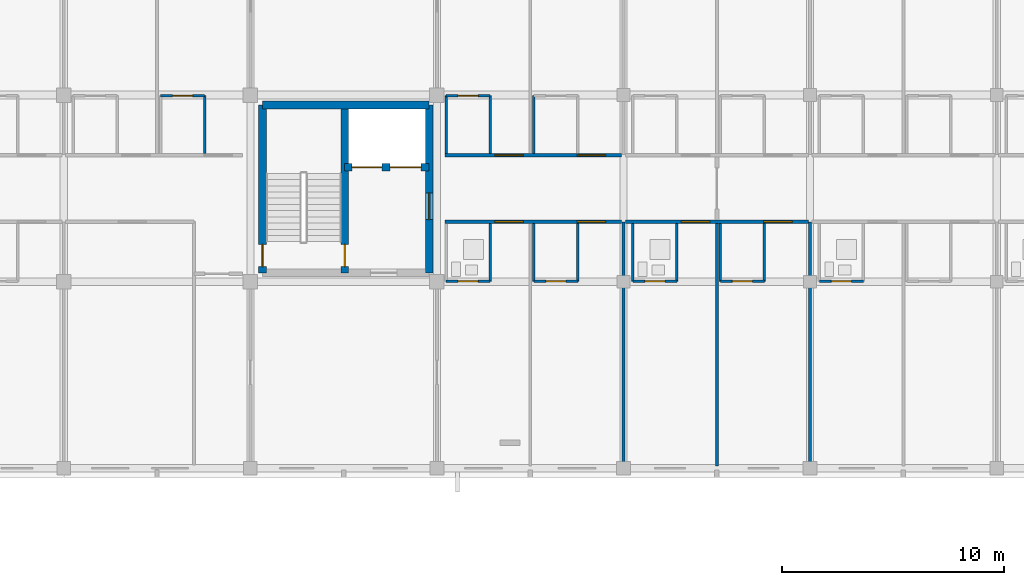
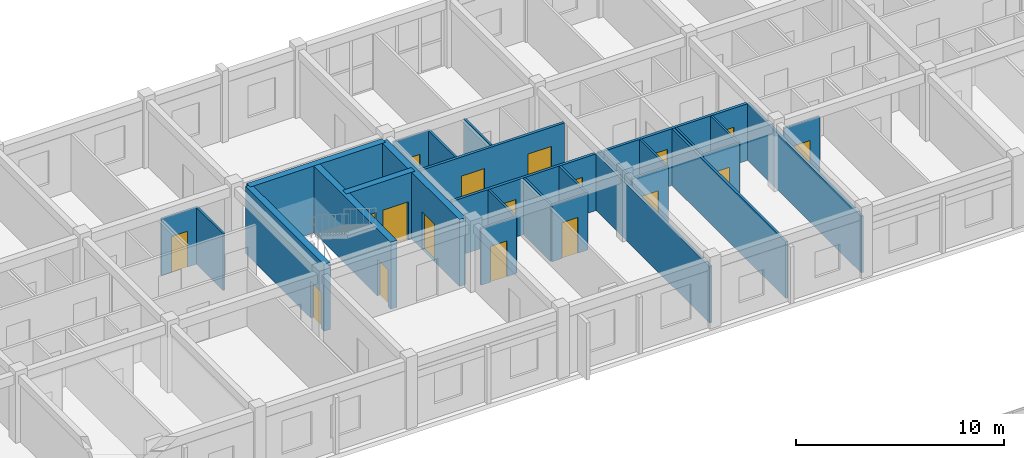
# One storey, part 70 of 81: 29 walls, 18 doors, 18 openings.
"""IFC4 building model written with IfcOpenShell, lengths in metres."""

from ifc_helpers import new_model, si_unit, direction, frame, frame_2d, origin, place, context, subcontext, project, spatial, rectangle, extrude, material, layer, layer_set, type_object, element, fill, save


model = new_model("IFC4")

# Units and contexts
model_context = context("Model", 3, precision=1e-05, world=origin(), true_north=direction((0.0, 1.0)))
body_context = subcontext(model_context, "Body", "Model", "MODEL_VIEW")
ifc_project = project(units=[si_unit("LENGTHUNIT", "METRE"), si_unit("AREAUNIT", "SQUARE_METRE"), si_unit("VOLUMEUNIT", "CUBIC_METRE"), si_unit("PLANEANGLEUNIT", "RADIAN"), si_unit("MASSUNIT", "GRAM", prefix="KILO")], contexts=[model_context])

# Site, building, storey
site_placement = place(None, origin())
site = spatial("IfcSite", under=ifc_project, at=site_placement, CompositionType="ELEMENT")
building_placement = place(site_placement, origin())
building = spatial("IfcBuilding", under=site, at=building_placement, Name="Trelvath General Hospital", CompositionType="ELEMENT")
storey_placement = place(building_placement, frame((0.0, 0.0, 24.60009765625)))
storey = spatial("IfcBuildingStorey", under=building, at=storey_placement, Name="L06", CompositionType="ELEMENT", Elevation=24.60009765625)

# Wall, openings, doors
ifc_material_1 = material(Name="Gypsum acoustic steel-stud partition", Category="steel")
ifc_layer_1 = layer(ifc_material_1, 0.14990234375)
ifc_layer_set_1 = layer_set([ifc_layer_1], Name="Gypsum acoustic steel-stud partition")
wall_type_1 = type_object("IfcWallType", Name="ClinicalPartition 150", PredefinedType="PARTITIONING", material=ifc_layer_set_1)
wall_1_placement = place(storey_placement, frame((92.760009765625, 103.5, 0.0), z_axis=(0.0, 0.0, 1.0), x_axis=(1.0, 0.0, 0.0)))
wall_1 = element("IfcWall", 1, at=wall_1_placement, inside=storey, type_object=wall_type_1, Name="Corridor Partition L06-2242", PredefinedType="PARTITIONING", context=body_context, shape_type="SweptSolid", body=[
    extrude(rectangle(XDim=7.9599609375, YDim=0.14990234375, at=frame_2d((3.97998046875, 0.0))), origin(), (0.0, 0.0, 1.0), 3.31982421875),
])
opening_1_placement = place(wall_1_placement, frame((2.25, 0.0, 0.0)))
opening_1 = element("IfcOpeningElement", 2, at=opening_1_placement, cuts=wall_1, Name="Opening D-6-1416", PredefinedType="OPENING", context=body_context, shape_type="SweptSolid", body=[
    extrude(rectangle(XDim=1.280029296875, YDim=2.199951171875, at=frame_2d((0.64013671875, 1.10009765625))), frame((0.0, 0.0849609375, 0.0), z_axis=(0.0, -1.0, 0.0), x_axis=(1.0, 0.0, 0.0)), (0.0, 0.0, 1.0), 0.169921875),
])
opening_2_placement = place(wall_1_placement, frame((5.949951171875, 0.0, 0.0)))
opening_2 = element("IfcOpeningElement", 3, at=opening_2_placement, cuts=wall_1, Name="Opening D-6-1417", PredefinedType="OPENING", context=body_context, shape_type="SweptSolid", body=[
    extrude(rectangle(XDim=1.280029296875, YDim=2.199951171875, at=frame_2d((0.64013671875, 1.10009765625))), frame((0.0, 0.0849609375, 0.0), z_axis=(0.0, -1.0, 0.0), x_axis=(1.0, 0.0, 0.0)), (0.0, 0.0, 1.0), 0.169921875),
])
ifc_material_2 = material(Name="Pediatric ward timber door", Category="wood")
door_type_1 = type_object("IfcDoorType", Name="Door PatientPeds 1280x2200", OperationType="NOTDEFINED", PredefinedType="DOOR", material=ifc_material_2)
door_1_placement = place(opening_1_placement, origin())
door_1 = element("IfcDoor", 4, at=door_1_placement, inside=storey, type_object=door_type_1, Name="Patient Room Door L06-1416", OperationType="SINGLE_SWING_RIGHT", OverallHeight=2.199951171875, OverallWidth=1.280029296875, PredefinedType="DOOR", context=body_context, shape_type="SweptSolid", body=[
    extrude(rectangle(XDim=1.280029296875, YDim=2.199951171875, at=frame_2d((0.64013671875, 1.10009765625))), frame((0.0, 0.02490234375, 0.0), z_axis=(0.0, -1.0, 0.0), x_axis=(1.0, 0.0, 0.0)), (0.0, 0.0, 1.0), 0.050048828125),
])
fill(opening_1, door_1)
door_2_placement = place(opening_2_placement, origin())
door_2 = element("IfcDoor", 5, at=door_2_placement, inside=storey, type_object=door_type_1, Name="Patient Room Door L06-1417", OperationType="SINGLE_SWING_LEFT", OverallHeight=2.199951171875, OverallWidth=1.280029296875, PredefinedType="DOOR", context=body_context, shape_type="SweptSolid", body=[
    extrude(rectangle(XDim=1.280029296875, YDim=2.199951171875, at=frame_2d((0.64013671875, 1.10009765625))), frame((0.0, 0.02490234375, 0.0), z_axis=(0.0, -1.0, 0.0), x_axis=(1.0, 0.0, 0.0)), (0.0, 0.0, 1.0), 0.050048828125),
])
fill(opening_2, door_2)

wall_2_placement = place(storey_placement, frame((100.719970703125, 106.5, 0.0), z_axis=(0.0, 0.0, 1.0), x_axis=(-1.0, 0.0, 0.0)))
wall_2 = element("IfcWall", 6, at=wall_2_placement, inside=storey, type_object=wall_type_1, Name="Corridor Partition N L06-2251", PredefinedType="PARTITIONING", context=body_context, shape_type="SweptSolid", body=[
    extrude(rectangle(XDim=7.9599609375, YDim=0.14990234375, at=frame_2d((3.97998046875, 0.0))), origin(), (0.0, 0.0, 1.0), 3.31982421875),
])
opening_3_placement = place(wall_2_placement, frame((0.72998046875, 0.0, 0.0)))
opening_3 = element("IfcOpeningElement", 7, at=opening_3_placement, cuts=wall_2, Name="Opening D-6-1420", PredefinedType="OPENING", context=body_context, shape_type="SweptSolid", body=[
    extrude(rectangle(XDim=1.280029296875, YDim=2.199951171875, at=frame_2d((0.64013671875, 1.10009765625))), frame((0.0, 0.0849609375, 0.0), z_axis=(0.0, -1.0, 0.0), x_axis=(1.0, 0.0, 0.0)), (0.0, 0.0, 1.0), 0.169921875),
])
opening_4_placement = place(wall_2_placement, frame((4.429931640625, 0.0, 0.0)))
opening_4 = element("IfcOpeningElement", 8, at=opening_4_placement, cuts=wall_2, Name="Opening D-6-1421", PredefinedType="OPENING", context=body_context, shape_type="SweptSolid", body=[
    extrude(rectangle(XDim=1.280029296875, YDim=2.199951171875, at=frame_2d((0.64013671875, 1.10009765625))), frame((0.0, 0.0849609375, 0.0), z_axis=(0.0, -1.0, 0.0), x_axis=(1.0, 0.0, 0.0)), (0.0, 0.0, 1.0), 0.169921875),
])
door_3_placement = place(opening_3_placement, origin())
door_3 = element("IfcDoor", 9, at=door_3_placement, inside=storey, type_object=door_type_1, Name="Patient Room Door N L06-1420", OperationType="SINGLE_SWING_RIGHT", OverallHeight=2.199951171875, OverallWidth=1.280029296875, PredefinedType="DOOR", context=body_context, shape_type="SweptSolid", body=[
    extrude(rectangle(XDim=1.280029296875, YDim=2.199951171875, at=frame_2d((0.64013671875, 1.10009765625))), frame((0.0, 0.02490234375, 0.0), z_axis=(0.0, -1.0, 0.0), x_axis=(1.0, 0.0, 0.0)), (0.0, 0.0, 1.0), 0.050048828125),
])
fill(opening_3, door_3)
door_4_placement = place(opening_4_placement, origin())
door_4 = element("IfcDoor", 10, at=door_4_placement, inside=storey, type_object=door_type_1, Name="Patient Room Door N L06-1421", OperationType="SINGLE_SWING_RIGHT", OverallHeight=2.199951171875, OverallWidth=1.280029296875, PredefinedType="DOOR", context=body_context, shape_type="SweptSolid", body=[
    extrude(rectangle(XDim=1.280029296875, YDim=2.199951171875, at=frame_2d((0.64013671875, 1.10009765625))), frame((0.0, 0.02490234375, 0.0), z_axis=(0.0, -1.0, 0.0), x_axis=(1.0, 0.0, 0.0)), (0.0, 0.0, 1.0), 0.050048828125),
])
fill(opening_4, door_4)

wall_3_placement = place(storey_placement, frame((100.8798828125, 103.5, 0.0), z_axis=(0.0, 0.0, 1.0), x_axis=(1.0, 0.0, 0.0)))
wall_3 = element("IfcWall", 11, at=wall_3_placement, inside=storey, type_object=wall_type_1, Name="Corridor Partition L06-2261", PredefinedType="PARTITIONING", context=body_context, shape_type="SweptSolid", body=[
    extrude(rectangle(XDim=8.240234375, YDim=0.14990234375, at=frame_2d((4.1201171875, 0.0))), origin(), (0.0, 0.0, 1.0), 3.31982421875),
])
opening_5_placement = place(wall_3_placement, frame((2.530029296875, 0.0, 0.0)))
opening_5 = element("IfcOpeningElement", 12, at=opening_5_placement, cuts=wall_3, Name="Opening D-6-1424", PredefinedType="OPENING", context=body_context, shape_type="SweptSolid", body=[
    extrude(rectangle(XDim=1.280029296875, YDim=2.199951171875, at=frame_2d((0.64013671875, 1.10009765625))), frame((0.0, 0.0849609375, 0.0), z_axis=(0.0, -1.0, 0.0), x_axis=(1.0, 0.0, 0.0)), (0.0, 0.0, 1.0), 0.169921875),
])
opening_6_placement = place(wall_3_placement, frame((6.22998046875, 0.0, 0.0)))
opening_6 = element("IfcOpeningElement", 13, at=opening_6_placement, cuts=wall_3, Name="Opening D-6-1425", PredefinedType="OPENING", context=body_context, shape_type="SweptSolid", body=[
    extrude(rectangle(XDim=1.280029296875, YDim=2.199951171875, at=frame_2d((0.64013671875, 1.10009765625))), frame((0.0, 0.0849609375, 0.0), z_axis=(0.0, -1.0, 0.0), x_axis=(1.0, 0.0, 0.0)), (0.0, 0.0, 1.0), 0.169921875),
])
door_5_placement = place(opening_5_placement, origin())
door_5 = element("IfcDoor", 14, at=door_5_placement, inside=storey, type_object=door_type_1, Name="Patient Room Door L06-1424", OperationType="SINGLE_SWING_LEFT", OverallHeight=2.199951171875, OverallWidth=1.280029296875, PredefinedType="DOOR", context=body_context, shape_type="SweptSolid", body=[
    extrude(rectangle(XDim=1.280029296875, YDim=2.199951171875, at=frame_2d((0.64013671875, 1.10009765625))), frame((0.0, 0.02490234375, 0.0), z_axis=(0.0, -1.0, 0.0), x_axis=(1.0, 0.0, 0.0)), (0.0, 0.0, 1.0), 0.050048828125),
])
fill(opening_5, door_5)
door_6_placement = place(opening_6_placement, origin())
door_6 = element("IfcDoor", 15, at=door_6_placement, inside=storey, type_object=door_type_1, Name="Patient Room Door L06-1425", OperationType="SINGLE_SWING_RIGHT", OverallHeight=2.199951171875, OverallWidth=1.280029296875, PredefinedType="DOOR", context=body_context, shape_type="SweptSolid", body=[
    extrude(rectangle(XDim=1.280029296875, YDim=2.199951171875, at=frame_2d((0.64013671875, 1.10009765625))), frame((0.0, 0.02490234375, 0.0), z_axis=(0.0, -1.0, 0.0), x_axis=(1.0, 0.0, 0.0)), (0.0, 0.0, 1.0), 0.050048828125),
])
fill(opening_6, door_6)

# Wall
ifc_material_3 = material(Name="Concrete C40/50", Category="concrete")
ifc_layer_2 = layer(ifc_material_3, 0.35009765625)
ifc_layer_set_2 = layer_set([ifc_layer_2], Name="Concrete C40/50")
wall_type_2 = type_object("IfcWallType", Name="CoreShearWall 350", PredefinedType="SHEAR", material=ifc_layer_set_2)
wall_4_placement = place(storey_placement, frame((84.550048828125, 108.75, 0.0), z_axis=(0.0, 0.0, 1.0), x_axis=(1.0, 0.0, 0.0)))
element("IfcWall", 16, at=wall_4_placement, inside=storey, type_object=wall_type_2, Name="Core Shear Wall C2 N L06", PredefinedType="SHEAR", context=body_context, shape_type="SweptSolid", body=[
    extrude(rectangle(XDim=7.5, YDim=0.35009765625, at=frame_2d((3.75, 0.0))), origin(), (0.0, 0.0, 1.0), 3.919921875),
])

# Wall, opening, door
wall_5_placement = place(storey_placement, frame((84.550048828125, 101.199951171875, 0.0), z_axis=(0.0, 0.0, 1.0), x_axis=(0.0, 1.0, 0.0)))
wall_5 = element("IfcWall", 17, at=wall_5_placement, inside=storey, type_object=wall_type_2, Name="Core Shear Wall C2 W L06", PredefinedType="SHEAR", context=body_context, shape_type="SweptSolid", body=[
    extrude(rectangle(XDim=7.550048828125, YDim=0.35009765625, at=frame_2d((3.77490234375, 0.0))), origin(), (0.0, 0.0, 1.0), 3.919921875),
])
opening_7_placement = place(wall_5_placement, frame((0.280029296875, 0.0, 0.0)))
opening_7 = element("IfcOpeningElement", 18, at=opening_7_placement, cuts=wall_5, Name="Opening FD-SW26", PredefinedType="OPENING", context=body_context, shape_type="SweptSolid", body=[
    extrude(rectangle(XDim=1.0, YDim=2.14990234375, at=frame_2d((0.5, 1.074951171875))), frame((0.0, 0.18505859375, 0.0), z_axis=(0.0, -1.0, 0.0), x_axis=(1.0, 0.0, 0.0)), (0.0, 0.0, 1.0), 0.3701171875),
])
ifc_material_4 = material(Name="Fire-rated steel door", Category="steel")
door_type_2 = type_object("IfcDoorType", Name="Door FireStair 1100x2150", OperationType="NOTDEFINED", PredefinedType="DOOR", material=ifc_material_4)
door_7_placement = place(opening_7_placement, origin())
door_7 = element("IfcDoor", 19, at=door_7_placement, inside=storey, type_object=door_type_2, Name="West Corridor Stair Door ST2 L06", OperationType="SINGLE_SWING_LEFT", OverallHeight=2.14990234375, OverallWidth=1.0, PredefinedType="DOOR", context=body_context, shape_type="SweptSolid", body=[
    extrude(rectangle(XDim=1.0, YDim=2.14990234375, at=frame_2d((0.5, 1.074951171875))), frame((0.0, 0.02490234375, 0.0), z_axis=(0.0, -1.0, 0.0), x_axis=(1.0, 0.0, 0.0)), (0.0, 0.0, 1.0), 0.050048828125),
])
fill(opening_7, door_7)

wall_6_placement = place(storey_placement, frame((92.050048828125, 101.199951171875, 0.0), z_axis=(0.0, 0.0, 1.0), x_axis=(0.0, 1.0, 0.0)))
wall_6 = element("IfcWall", 20, at=wall_6_placement, inside=storey, type_object=wall_type_2, Name="Core Shear Wall C2 E L06", PredefinedType="SHEAR", context=body_context, shape_type="SweptSolid", body=[
    extrude(rectangle(XDim=7.550048828125, YDim=0.35009765625, at=frame_2d((3.77490234375, 0.0))), origin(), (0.0, 0.0, 1.0), 3.919921875),
])
opening_8_placement = place(wall_6_placement, frame((2.39990234375, 0.0, 0.0)))
opening_8 = element("IfcOpeningElement", 21, at=opening_8_placement, cuts=wall_6, Name="Opening FD-LE26", PredefinedType="OPENING", context=body_context, shape_type="SweptSolid", body=[
    extrude(rectangle(XDim=1.199951171875, YDim=2.199951171875, at=frame_2d((0.60009765625, 1.10009765625))), frame((0.0, 0.18505859375, 0.0), z_axis=(0.0, -1.0, 0.0), x_axis=(1.0, 0.0, 0.0)), (0.0, 0.0, 1.0), 0.3701171875),
])
ifc_material_5 = material(Name="Fire-rated steel door", Category="steel")
door_type_3 = type_object("IfcDoorType", Name="Door FireLobby 1200x2200", OperationType="NOTDEFINED", PredefinedType="DOOR", material=ifc_material_5)
door_8_placement = place(opening_8_placement, origin())
door_8 = element("IfcDoor", 22, at=door_8_placement, inside=storey, type_object=door_type_3, Name="Fire Lobby East Corridor Door C2 L06", OperationType="SINGLE_SWING_LEFT", OverallHeight=2.199951171875, OverallWidth=1.199951171875, PredefinedType="DOOR", context=body_context, shape_type="SweptSolid", body=[
    extrude(rectangle(XDim=1.199951171875, YDim=2.199951171875, at=frame_2d((0.60009765625, 1.10009765625))), frame((0.0, 0.02490234375, 0.0), z_axis=(0.0, -1.0, 0.0), x_axis=(1.0, 0.0, 0.0)), (0.0, 0.0, 1.0), 0.050048828125),
])
fill(opening_8, door_8)

wall_7_placement = place(storey_placement, frame((88.25, 101.199951171875, 0.0), z_axis=(0.0, 0.0, 1.0), x_axis=(0.0, 1.0, 0.0)))
wall_7 = element("IfcWall", 23, at=wall_7_placement, inside=storey, type_object=wall_type_2, Name="Core Shear Wall C2 SPINE L06", PredefinedType="SHEAR", context=body_context, shape_type="SweptSolid", body=[
    extrude(rectangle(XDim=7.550048828125, YDim=0.35009765625, at=frame_2d((3.77490234375, 0.0))), origin(), (0.0, 0.0, 1.0), 3.919921875),
])
opening_9_placement = place(wall_7_placement, frame((0.280029296875, 0.0, 0.0)))
opening_9 = element("IfcOpeningElement", 24, at=opening_9_placement, cuts=wall_7, Name="Opening FD-S26", PredefinedType="OPENING", context=body_context, shape_type="SweptSolid", body=[
    extrude(rectangle(XDim=1.0, YDim=2.14990234375, at=frame_2d((0.5, 1.074951171875))), frame((0.0, 0.18505859375, 0.0), z_axis=(0.0, -1.0, 0.0), x_axis=(1.0, 0.0, 0.0)), (0.0, 0.0, 1.0), 0.3701171875),
])
door_9_placement = place(opening_9_placement, origin())
door_9 = element("IfcDoor", 25, at=door_9_placement, inside=storey, type_object=door_type_2, Name="Exit Stair Door ST2 L06", OperationType="SINGLE_SWING_RIGHT", OverallHeight=2.14990234375, OverallWidth=1.0, PredefinedType="DOOR", context=body_context, shape_type="SweptSolid", body=[
    extrude(rectangle(XDim=1.0, YDim=2.14990234375, at=frame_2d((0.5, 1.074951171875))), frame((0.0, 0.02490234375, 0.0), z_axis=(0.0, -1.0, 0.0), x_axis=(1.0, 0.0, 0.0)), (0.0, 0.0, 1.0), 0.050048828125),
])
fill(opening_9, door_9)

# Wall, openings, doors
wall_8_placement = place(storey_placement, frame((88.25, 105.949951171875, 0.0), z_axis=(0.0, 0.0, 1.0), x_axis=(1.0, 0.0, 0.0)))
wall_8 = element("IfcWall", 26, at=wall_8_placement, inside=storey, type_object=wall_type_2, Name="Core Shear Wall C2 SHAFT L06", PredefinedType="SHEAR", context=body_context, shape_type="SweptSolid", body=[
    extrude(rectangle(XDim=3.800048828125, YDim=0.35009765625, at=frame_2d((1.89990234375, 0.0))), origin(), (0.0, 0.0, 1.0), 3.919921875),
])
opening_10_placement = place(wall_8_placement, frame((0.320068359375, 0.0, 0.0)))
opening_10 = element("IfcOpeningElement", 27, at=opening_10_placement, cuts=wall_8, Name="Opening LD-FF2-6", PredefinedType="OPENING", context=body_context, shape_type="SweptSolid", body=[
    extrude(rectangle(XDim=1.35009765625, YDim=2.25, at=frame_2d((0.675048828125, 1.125))), frame((0.0, 0.18505859375, 0.0), z_axis=(0.0, -1.0, 0.0), x_axis=(1.0, 0.0, 0.0)), (0.0, 0.0, 1.0), 0.3701171875),
])
opening_11_placement = place(wall_8_placement, frame((2.0400390625, 0.0, 0.0)))
opening_11 = element("IfcOpeningElement", 28, at=opening_11_placement, cuts=wall_8, Name="Opening LD-BD2-6", PredefinedType="OPENING", context=body_context, shape_type="SweptSolid", body=[
    extrude(rectangle(XDim=1.39990234375, YDim=2.25, at=frame_2d((0.699951171875, 1.125))), frame((0.0, 0.18505859375, 0.0), z_axis=(0.0, -1.0, 0.0), x_axis=(1.0, 0.0, 0.0)), (0.0, 0.0, 1.0), 0.3701171875),
])
ifc_material_6 = material(Name="Stainless steel stretcher lift landing door", Category="steel")
door_type_4 = type_object("IfcDoorType", Name="Door LiftBed 1400x2250", OperationType="SLIDING_TO_LEFT", PredefinedType="DOOR", material=ifc_material_6)
door_10_placement = place(opening_11_placement, origin())
door_10 = element("IfcDoor", 29, at=door_10_placement, inside=storey, type_object=door_type_4, Name="Lift Landing Sliding Door LF-BD2 L06", OperationType="SLIDING_TO_LEFT", OverallHeight=2.25, OverallWidth=1.39990234375, PredefinedType="DOOR", context=body_context, shape_type="SweptSolid", body=[
    extrude(rectangle(XDim=1.39990234375, YDim=2.25, at=frame_2d((0.699951171875, 1.125))), frame((0.0, 0.02490234375, 0.0), z_axis=(0.0, -1.0, 0.0), x_axis=(1.0, 0.0, 0.0)), (0.0, 0.0, 1.0), 0.050048828125),
])
fill(opening_11, door_10)
ifc_material_7 = material(Name="Fire-rated stainless lift landing door")
door_type_5 = type_object("IfcDoorType", Name="Door LiftFire 1350x2250", OperationType="SLIDING_TO_LEFT", PredefinedType="DOOR", material=ifc_material_7)
door_11_placement = place(opening_10_placement, origin())
door_11 = element("IfcDoor", 30, at=door_11_placement, inside=storey, type_object=door_type_5, Name="Lift Landing Sliding Door LF-FF2 L06", OperationType="SLIDING_TO_LEFT", OverallHeight=2.25, OverallWidth=1.35009765625, PredefinedType="DOOR", context=body_context, shape_type="SweptSolid", body=[
    extrude(rectangle(XDim=1.35009765625, YDim=2.25, at=frame_2d((0.675048828125, 1.125))), frame((0.0, 0.02490234375, 0.0), z_axis=(0.0, -1.0, 0.0), x_axis=(1.0, 0.0, 0.0)), (0.0, 0.0, 1.0), 0.050048828125),
])
fill(opening_10, door_11)

# Wall
ifc_material_8 = material(Name="Moisture-resistant tile partition")
ifc_layer_3 = layer(ifc_material_8, 0.110107421875)
ifc_layer_set_3 = layer_set([ifc_layer_3], Name="Moisture-resistant tile partition")
wall_type_3 = type_object("IfcWallType", Name="EnSuiteWetWall 110", PredefinedType="PARTITIONING", material=ifc_layer_set_3)
wall_9_placement = place(storey_placement, frame((81.93994140625, 106.570068359375, 0.0), z_axis=(0.0, 0.0, 1.0), x_axis=(0.0, 1.0, 0.0)))
element("IfcWall", 31, at=wall_9_placement, inside=storey, type_object=wall_type_3, Name="En-Suite E Wall N L06-2236", PredefinedType="PARTITIONING", context=body_context, shape_type="SweptSolid", body=[
    extrude(rectangle(XDim=2.60986328125, YDim=0.110107421875, at=frame_2d((1.304931640625, 0.0))), origin(), (0.0, 0.0, 1.0), 3.31982421875),
])

# Wall, opening, door
wall_10_placement = place(storey_placement, frame((79.9599609375, 109.179931640625, 0.0), z_axis=(0.0, 0.0, 1.0), x_axis=(1.0, 0.0, 0.0)))
wall_10 = element("IfcWall", 32, at=wall_10_placement, inside=storey, type_object=wall_type_3, Name="En-Suite Bathroom N Partition L06-2237", PredefinedType="PARTITIONING", context=body_context, shape_type="SweptSolid", body=[
    extrude(rectangle(XDim=1.97998046875, YDim=0.110107421875, at=frame_2d((0.989990234375, 0.0))), origin(), (0.0, 0.0, 1.0), 3.31982421875),
])
opening_12_placement = place(wall_10_placement, frame((0.5400390625, 0.0, 0.0)))
opening_12 = element("IfcOpeningElement", 33, at=opening_12_placement, cuts=wall_10, Name="Opening D-6-1411", PredefinedType="OPENING", context=body_context, shape_type="SweptSolid", body=[
    extrude(rectangle(XDim=0.89990234375, YDim=2.10009765625, at=frame_2d((0.449951171875, 1.050048828125))), frame((0.0, 0.06494140625, 0.0), z_axis=(0.0, -1.0, 0.0), x_axis=(1.0, 0.0, 0.0)), (0.0, 0.0, 1.0), 0.130126953125),
])
ifc_material_9 = material(Name="Moisture-sealed timber leaf", Category="wood")
door_type_6 = type_object("IfcDoorType", Name="Door EnSuite 900x2100", OperationType="NOTDEFINED", PredefinedType="DOOR", material=ifc_material_9)
door_12_placement = place(opening_12_placement, origin())
door_12 = element("IfcDoor", 34, at=door_12_placement, inside=storey, type_object=door_type_6, Name="En-Suite Bathroom N Door L06-1411", OperationType="SINGLE_SWING_LEFT", OverallHeight=2.10009765625, OverallWidth=0.89990234375, PredefinedType="DOOR", context=body_context, shape_type="SweptSolid", body=[
    extrude(rectangle(XDim=0.89990234375, YDim=2.10009765625, at=frame_2d((0.449951171875, 1.050048828125))), frame((0.0, 0.02490234375, 0.0), z_axis=(0.0, -1.0, 0.0), x_axis=(1.0, 0.0, 0.0)), (0.0, 0.0, 1.0), 0.050048828125),
])
fill(opening_12, door_12)

# Wall
wall_11_placement = place(storey_placement, frame((94.800048828125, 100.820068359375, 0.0), z_axis=(0.0, 0.0, 1.0), x_axis=(0.0, 1.0, 0.0)))
element("IfcWall", 35, at=wall_11_placement, inside=storey, type_object=wall_type_3, Name="En-Suite E Wall L06-2245", PredefinedType="PARTITIONING", context=body_context, shape_type="SweptSolid", body=[
    extrude(rectangle(XDim=2.60986328125, YDim=0.110107421875, at=frame_2d((1.304931640625, 0.0))), origin(), (0.0, 0.0, 1.0), 3.31982421875),
])

# Wall, opening, door
wall_12_placement = place(storey_placement, frame((92.820068359375, 100.820068359375, 0.0), z_axis=(0.0, 0.0, 1.0), x_axis=(1.0, 0.0, 0.0)))
wall_12 = element("IfcWall", 36, at=wall_12_placement, inside=storey, type_object=wall_type_3, Name="En-Suite Bathroom Partition L06-2246", PredefinedType="PARTITIONING", context=body_context, shape_type="SweptSolid", body=[
    extrude(rectangle(XDim=1.97998046875, YDim=0.110107421875, at=frame_2d((0.989990234375, 0.0))), origin(), (0.0, 0.0, 1.0), 3.31982421875),
])
opening_13_placement = place(wall_12_placement, frame((0.5400390625, 0.0, 0.0)))
opening_13 = element("IfcOpeningElement", 37, at=opening_13_placement, cuts=wall_12, Name="Opening D-6-1418", PredefinedType="OPENING", context=body_context, shape_type="SweptSolid", body=[
    extrude(rectangle(XDim=0.89990234375, YDim=2.10009765625, at=frame_2d((0.449951171875, 1.050048828125))), frame((0.0, 0.06494140625, 0.0), z_axis=(0.0, -1.0, 0.0), x_axis=(1.0, 0.0, 0.0)), (0.0, 0.0, 1.0), 0.130126953125),
])
door_13_placement = place(opening_13_placement, origin())
door_13 = element("IfcDoor", 38, at=door_13_placement, inside=storey, type_object=door_type_6, Name="En-Suite Bathroom Door L06-1418", OperationType="SINGLE_SWING_RIGHT", OverallHeight=2.10009765625, OverallWidth=0.89990234375, PredefinedType="DOOR", context=body_context, shape_type="SweptSolid", body=[
    extrude(rectangle(XDim=0.89990234375, YDim=2.10009765625, at=frame_2d((0.449951171875, 1.050048828125))), frame((0.0, 0.02490234375, 0.0), z_axis=(0.0, -1.0, 0.0), x_axis=(1.0, 0.0, 0.0)), (0.0, 0.0, 1.0), 0.050048828125),
])
fill(opening_13, door_13)

# Walls
for number, where, z_axis, x_axis, name in (
    (39, (96.760009765625, 100.820068359375, 0.0), (0.0, 0.0, 1.0), (0.0, 1.0, 0.0), "En-Suite W Wall L06-2247"),
    (40, (98.739990234375, 100.820068359375, 0.0), (0.0, 0.0, 1.0), (0.0, 1.0, 0.0), "En-Suite E Wall L06-2248"),
):
    element("IfcWall", number, at=place(storey_placement, frame(where, z_axis=z_axis, x_axis=x_axis)), inside=storey, type_object=wall_type_3, Name=name, PredefinedType="PARTITIONING", context=body_context, shape_type="SweptSolid", body=[
        extrude(rectangle(XDim=2.60986328125, YDim=0.110107421875, at=frame_2d((1.304931640625, 0.0))), origin(), (0.0, 0.0, 1.0), 3.31982421875),
    ])

# Wall, opening, door
wall_13_placement = place(storey_placement, frame((96.760009765625, 100.820068359375, 0.0), z_axis=(0.0, 0.0, 1.0), x_axis=(1.0, 0.0, 0.0)))
wall_13 = element("IfcWall", 41, at=wall_13_placement, inside=storey, type_object=wall_type_3, Name="En-Suite Bathroom Partition L06-2249", PredefinedType="PARTITIONING", context=body_context, shape_type="SweptSolid", body=[
    extrude(rectangle(XDim=1.97998046875, YDim=0.110107421875, at=frame_2d((0.989990234375, 0.0))), origin(), (0.0, 0.0, 1.0), 3.31982421875),
])
opening_14_placement = place(wall_13_placement, frame((0.5400390625, 0.0, 0.0)))
opening_14 = element("IfcOpeningElement", 42, at=opening_14_placement, cuts=wall_13, Name="Opening D-6-1419", PredefinedType="OPENING", context=body_context, shape_type="SweptSolid", body=[
    extrude(rectangle(XDim=0.89990234375, YDim=2.10009765625, at=frame_2d((0.449951171875, 1.050048828125))), frame((0.0, 0.06494140625, 0.0), z_axis=(0.0, -1.0, 0.0), x_axis=(1.0, 0.0, 0.0)), (0.0, 0.0, 1.0), 0.130126953125),
])
door_14_placement = place(opening_14_placement, origin())
door_14 = element("IfcDoor", 43, at=door_14_placement, inside=storey, type_object=door_type_6, Name="En-Suite Bathroom Door L06-1419", OperationType="SINGLE_SWING_LEFT", OverallHeight=2.10009765625, OverallWidth=0.89990234375, PredefinedType="DOOR", context=body_context, shape_type="SweptSolid", body=[
    extrude(rectangle(XDim=0.89990234375, YDim=2.10009765625, at=frame_2d((0.449951171875, 1.050048828125))), frame((0.0, 0.02490234375, 0.0), z_axis=(0.0, -1.0, 0.0), x_axis=(1.0, 0.0, 0.0)), (0.0, 0.0, 1.0), 0.050048828125),
])
fill(opening_14, door_14)

# Walls
for number, where, z_axis, x_axis, name in (
    (44, (92.820068359375, 106.570068359375, 0.0), (0.0, 0.0, 1.0), (0.0, 1.0, 0.0), "En-Suite W Wall N L06-2253"),
    (45, (94.800048828125, 106.570068359375, 0.0), (0.0, 0.0, 1.0), (0.0, 1.0, 0.0), "En-Suite E Wall N L06-2254"),
):
    element("IfcWall", number, at=place(storey_placement, frame(where, z_axis=z_axis, x_axis=x_axis)), inside=storey, type_object=wall_type_3, Name=name, PredefinedType="PARTITIONING", context=body_context, shape_type="SweptSolid", body=[
        extrude(rectangle(XDim=2.60986328125, YDim=0.110107421875, at=frame_2d((1.304931640625, 0.0))), origin(), (0.0, 0.0, 1.0), 3.31982421875),
    ])

# Wall, opening, door
wall_14_placement = place(storey_placement, frame((92.820068359375, 109.179931640625, 0.0), z_axis=(0.0, 0.0, 1.0), x_axis=(1.0, 0.0, 0.0)))
wall_14 = element("IfcWall", 46, at=wall_14_placement, inside=storey, type_object=wall_type_3, Name="En-Suite Bathroom N Partition L06-2255", PredefinedType="PARTITIONING", context=body_context, shape_type="SweptSolid", body=[
    extrude(rectangle(XDim=1.97998046875, YDim=0.110107421875, at=frame_2d((0.989990234375, 0.0))), origin(), (0.0, 0.0, 1.0), 3.31982421875),
])
opening_15_placement = place(wall_14_placement, frame((0.5400390625, 0.0, 0.0)))
opening_15 = element("IfcOpeningElement", 47, at=opening_15_placement, cuts=wall_14, Name="Opening D-6-1422", PredefinedType="OPENING", context=body_context, shape_type="SweptSolid", body=[
    extrude(rectangle(XDim=0.89990234375, YDim=2.10009765625, at=frame_2d((0.449951171875, 1.050048828125))), frame((0.0, 0.06494140625, 0.0), z_axis=(0.0, -1.0, 0.0), x_axis=(1.0, 0.0, 0.0)), (0.0, 0.0, 1.0), 0.130126953125),
])
door_15_placement = place(opening_15_placement, origin())
door_15 = element("IfcDoor", 48, at=door_15_placement, inside=storey, type_object=door_type_6, Name="En-Suite Bathroom N Door L06-1422", OperationType="SINGLE_SWING_LEFT", OverallHeight=2.10009765625, OverallWidth=0.89990234375, PredefinedType="DOOR", context=body_context, shape_type="SweptSolid", body=[
    extrude(rectangle(XDim=0.89990234375, YDim=2.10009765625, at=frame_2d((0.449951171875, 1.050048828125))), frame((0.0, 0.02490234375, 0.0), z_axis=(0.0, -1.0, 0.0), x_axis=(1.0, 0.0, 0.0)), (0.0, 0.0, 1.0), 0.050048828125),
])
fill(opening_15, door_15)

# Walls
for number, where, z_axis, x_axis, name in (
    (49, (96.760009765625, 106.570068359375, 0.0), (0.0, 0.0, 1.0), (0.0, 1.0, 0.0), "En-Suite W Wall N L06-2256"),
    (50, (101.219970703125, 100.820068359375, 0.0), (0.0, 0.0, 1.0), (0.0, 1.0, 0.0), "En-Suite W Wall L06-2263"),
    (51, (103.199951171875, 100.820068359375, 0.0), (0.0, 0.0, 1.0), (0.0, 1.0, 0.0), "En-Suite E Wall L06-2264"),
):
    element("IfcWall", number, at=place(storey_placement, frame(where, z_axis=z_axis, x_axis=x_axis)), inside=storey, type_object=wall_type_3, Name=name, PredefinedType="PARTITIONING", context=body_context, shape_type="SweptSolid", body=[
        extrude(rectangle(XDim=2.60986328125, YDim=0.110107421875, at=frame_2d((1.304931640625, 0.0))), origin(), (0.0, 0.0, 1.0), 3.31982421875),
    ])

# Wall, opening, door
wall_15_placement = place(storey_placement, frame((101.219970703125, 100.820068359375, 0.0), z_axis=(0.0, 0.0, 1.0), x_axis=(1.0, 0.0, 0.0)))
wall_15 = element("IfcWall", 52, at=wall_15_placement, inside=storey, type_object=wall_type_3, Name="En-Suite Bathroom Partition L06-2265", PredefinedType="PARTITIONING", context=body_context, shape_type="SweptSolid", body=[
    extrude(rectangle(XDim=1.97998046875, YDim=0.110107421875, at=frame_2d((0.989990234375, 0.0))), origin(), (0.0, 0.0, 1.0), 3.31982421875),
])
opening_16_placement = place(wall_15_placement, frame((0.5400390625, 0.0, 0.0)))
opening_16 = element("IfcOpeningElement", 53, at=opening_16_placement, cuts=wall_15, Name="Opening D-6-1426", PredefinedType="OPENING", context=body_context, shape_type="SweptSolid", body=[
    extrude(rectangle(XDim=0.89990234375, YDim=2.10009765625, at=frame_2d((0.449951171875, 1.050048828125))), frame((0.0, 0.06494140625, 0.0), z_axis=(0.0, -1.0, 0.0), x_axis=(1.0, 0.0, 0.0)), (0.0, 0.0, 1.0), 0.130126953125),
])
door_16_placement = place(opening_16_placement, origin())
door_16 = element("IfcDoor", 54, at=door_16_placement, inside=storey, type_object=door_type_6, Name="En-Suite Bathroom Door L06-1426", OperationType="SINGLE_SWING_LEFT", OverallHeight=2.10009765625, OverallWidth=0.89990234375, PredefinedType="DOOR", context=body_context, shape_type="SweptSolid", body=[
    extrude(rectangle(XDim=0.89990234375, YDim=2.10009765625, at=frame_2d((0.449951171875, 1.050048828125))), frame((0.0, 0.02490234375, 0.0), z_axis=(0.0, -1.0, 0.0), x_axis=(1.0, 0.0, 0.0)), (0.0, 0.0, 1.0), 0.050048828125),
])
fill(opening_16, door_16)

# Walls
for number, where, z_axis, x_axis, name in (
    (55, (105.159912109375, 100.820068359375, 0.0), (0.0, 0.0, 1.0), (0.0, 1.0, 0.0), "En-Suite W Wall L06-2266"),
    (56, (107.139892578125, 100.820068359375, 0.0), (0.0, 0.0, 1.0), (0.0, 1.0, 0.0), "En-Suite E Wall L06-2267"),
):
    element("IfcWall", number, at=place(storey_placement, frame(where, z_axis=z_axis, x_axis=x_axis)), inside=storey, type_object=wall_type_3, Name=name, PredefinedType="PARTITIONING", context=body_context, shape_type="SweptSolid", body=[
        extrude(rectangle(XDim=2.60986328125, YDim=0.110107421875, at=frame_2d((1.304931640625, 0.0))), origin(), (0.0, 0.0, 1.0), 3.31982421875),
    ])

# Wall, opening, door
wall_16_placement = place(storey_placement, frame((105.159912109375, 100.820068359375, 0.0), z_axis=(0.0, 0.0, 1.0), x_axis=(1.0, 0.0, 0.0)))
wall_16 = element("IfcWall", 57, at=wall_16_placement, inside=storey, type_object=wall_type_3, Name="En-Suite Bathroom Partition L06-2268", PredefinedType="PARTITIONING", context=body_context, shape_type="SweptSolid", body=[
    extrude(rectangle(XDim=1.97998046875, YDim=0.110107421875, at=frame_2d((0.989990234375, 0.0))), origin(), (0.0, 0.0, 1.0), 3.31982421875),
])
opening_17_placement = place(wall_16_placement, frame((0.5400390625, 0.0, 0.0)))
opening_17 = element("IfcOpeningElement", 58, at=opening_17_placement, cuts=wall_16, Name="Opening D-6-1427", PredefinedType="OPENING", context=body_context, shape_type="SweptSolid", body=[
    extrude(rectangle(XDim=0.89990234375, YDim=2.10009765625, at=frame_2d((0.449951171875, 1.050048828125))), frame((0.0, 0.06494140625, 0.0), z_axis=(0.0, -1.0, 0.0), x_axis=(1.0, 0.0, 0.0)), (0.0, 0.0, 1.0), 0.130126953125),
])
door_17_placement = place(opening_17_placement, origin())
door_17 = element("IfcDoor", 59, at=door_17_placement, inside=storey, type_object=door_type_6, Name="En-Suite Bathroom Door L06-1427", OperationType="SINGLE_SWING_RIGHT", OverallHeight=2.10009765625, OverallWidth=0.89990234375, PredefinedType="DOOR", context=body_context, shape_type="SweptSolid", body=[
    extrude(rectangle(XDim=0.89990234375, YDim=2.10009765625, at=frame_2d((0.449951171875, 1.050048828125))), frame((0.0, 0.02490234375, 0.0), z_axis=(0.0, -1.0, 0.0), x_axis=(1.0, 0.0, 0.0)), (0.0, 0.0, 1.0), 0.050048828125),
])
fill(opening_17, door_17)

wall_17_placement = place(storey_placement, frame((109.6201171875, 100.820068359375, 0.0), z_axis=(0.0, 0.0, 1.0), x_axis=(1.0, 0.0, 0.0)))
wall_17 = element("IfcWall", 60, at=wall_17_placement, inside=storey, type_object=wall_type_3, Name="En-Suite Bathroom Partition L06-2284", PredefinedType="PARTITIONING", context=body_context, shape_type="SweptSolid", body=[
    extrude(rectangle(XDim=1.97998046875, YDim=0.110107421875, at=frame_2d((0.989990234375, 0.0))), origin(), (0.0, 0.0, 1.0), 3.31982421875),
])
opening_18_placement = place(wall_17_placement, frame((0.5400390625, 0.0, 0.0)))
opening_18 = element("IfcOpeningElement", 61, at=opening_18_placement, cuts=wall_17, Name="Opening D-6-1435", PredefinedType="OPENING", context=body_context, shape_type="SweptSolid", body=[
    extrude(rectangle(XDim=0.89990234375, YDim=2.10009765625, at=frame_2d((0.449951171875, 1.050048828125))), frame((0.0, 0.06494140625, 0.0), z_axis=(0.0, -1.0, 0.0), x_axis=(1.0, 0.0, 0.0)), (0.0, 0.0, 1.0), 0.130126953125),
])
door_18_placement = place(opening_18_placement, origin())
door_18 = element("IfcDoor", 62, at=door_18_placement, inside=storey, type_object=door_type_6, Name="En-Suite Bathroom Door L06-1435", OperationType="SINGLE_SWING_RIGHT", OverallHeight=2.10009765625, OverallWidth=0.89990234375, PredefinedType="DOOR", context=body_context, shape_type="SweptSolid", body=[
    extrude(rectangle(XDim=0.89990234375, YDim=2.10009765625, at=frame_2d((0.449951171875, 1.050048828125))), frame((0.0, 0.02490234375, 0.0), z_axis=(0.0, -1.0, 0.0), x_axis=(1.0, 0.0, 0.0)), (0.0, 0.0, 1.0), 0.050048828125),
])
fill(opening_18, door_18)

# Walls
ifc_material_10 = material(Name="Gypsum acoustic steel-stud partition", Category="steel")
ifc_layer_4 = layer(ifc_material_10, 0.1298828125)
ifc_layer_set_4 = layer_set([ifc_layer_4], Name="Gypsum acoustic steel-stud partition")
wall_type_4 = type_object("IfcWallType", Name="WardPartition 130", PredefinedType="PARTITIONING", material=ifc_layer_set_4)
wall_18_placement = place(storey_placement, frame((100.800048828125, 92.5400390625, 0.0), z_axis=(0.0, 0.0, 1.0), x_axis=(0.0, 1.0, 0.0)))
element("IfcWall", 63, at=wall_18_placement, inside=storey, type_object=wall_type_4, Name="Inter-Bay Ward Partition S L06-2259", PredefinedType="PARTITIONING", context=body_context, shape_type="SweptSolid", body=[
    extrude(rectangle(XDim=10.93994140625, YDim=0.1298828125, at=frame_2d((5.469970703125, 0.0))), origin(), (0.0, 0.0, 1.0), 3.31982421875),
])
wall_19_placement = place(storey_placement, frame((105.0, 92.5, 0.0), z_axis=(0.0, 0.0, 1.0), x_axis=(0.0, 1.0, 0.0)))
element("IfcWall", 64, at=wall_19_placement, inside=storey, type_object=wall_type_4, Name="Room Dividing Partition S L06-2262", PredefinedType="PARTITIONING", context=body_context, shape_type="SweptSolid", body=[
    extrude(rectangle(XDim=10.929931640625, YDim=0.1298828125, at=frame_2d((5.46484375, 0.0))), origin(), (0.0, 0.0, 1.0), 3.31982421875),
])
wall_20_placement = place(storey_placement, frame((109.199951171875, 92.5400390625, 0.0), z_axis=(0.0, 0.0, 1.0), x_axis=(0.0, 1.0, 0.0)))
element("IfcWall", 65, at=wall_20_placement, inside=storey, type_object=wall_type_4, Name="Inter-Bay Ward Partition S L06-2278", PredefinedType="PARTITIONING", context=body_context, shape_type="SweptSolid", body=[
    extrude(rectangle(XDim=10.93994140625, YDim=0.1298828125, at=frame_2d((5.469970703125, 0.0))), origin(), (0.0, 0.0, 1.0), 3.31982421875),
])

save(model, "model.ifc")
